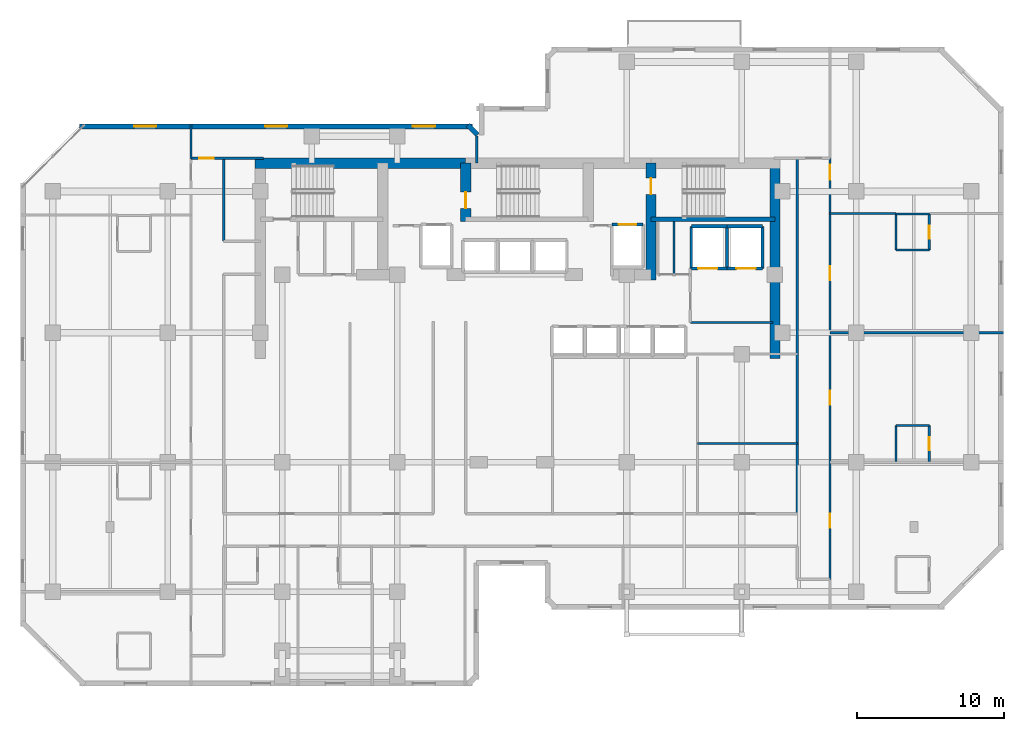
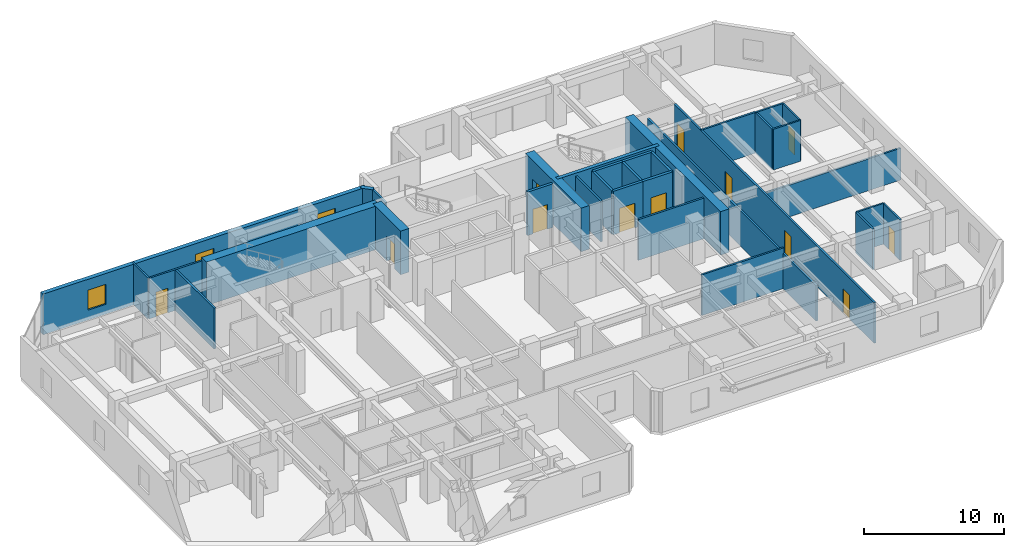
# One storey, part 8 of 10: 33 walls, 12 doors, 3 windows, 15 openings.
"""IFC4 building model written with IfcOpenShell, lengths in metres."""

from ifc_helpers import new_model, si_unit, direction, frame, frame_2d, origin, place, context, subcontext, project, spatial, rectangle, extrude, material, layer, layer_set, type_object, element, fill, save


model = new_model("IFC4")

# Units and contexts
model_context = context("Model", 3, precision=1e-05, world=origin(), true_north=direction((0.0, 1.0)))
body_context = subcontext(model_context, "Body", "Model", "MODEL_VIEW")
ifc_project = project(units=[si_unit("LENGTHUNIT", "METRE"), si_unit("AREAUNIT", "SQUARE_METRE"), si_unit("VOLUMEUNIT", "CUBIC_METRE"), si_unit("PLANEANGLEUNIT", "RADIAN"), si_unit("MASSUNIT", "GRAM", prefix="KILO")], contexts=[model_context])

# Site, building, storey
site_placement = place(None, origin())
site = spatial("IfcSite", under=ifc_project, at=site_placement, CompositionType="ELEMENT")
building_placement = place(site_placement, origin())
building = spatial("IfcBuilding", under=site, at=building_placement, Name="Kestravale Grand Hotel", CompositionType="ELEMENT")
storey_placement = place(building_placement, frame((0.0, 0.0, 153.60009765625)))
storey = spatial("IfcBuildingStorey", under=building, at=storey_placement, Name="L38", CompositionType="ELEMENT", Elevation=153.60009765625)

# Walls
ifc_material_1 = material(Name="Concrete f'c 60 MPa", Category="concrete")
ifc_layer_1 = layer(ifc_material_1, 0.699951171875)
ifc_layer_set_1 = layer_set([ifc_layer_1], Name="EW-CORE-700")
wall_type_1 = type_object("IfcWallType", Name="EW-CORE-700", PredefinedType="SHEAR", material=ifc_layer_set_1)
wall_1_placement = place(storey_placement, frame((21.550048828125, 40.320068359375, 0.0), z_axis=(0.0, 0.0, 1.0), x_axis=(1.0, 0.0, 0.0)))
element("IfcWall", 1, at=wall_1_placement, inside=storey, type_object=wall_type_1, Name="L38 core shear wall N1", PredefinedType="SHEAR", context=body_context, shape_type="SweptSolid", body=[
    extrude(rectangle(XDim=14.300048828125, YDim=0.699951171875, at=frame_2d((7.14990234375, 0.0))), origin(), (0.0, 0.0, 1.0), 3.7998046875),
])
wall_2_placement = place(storey_placement, frame((56.8701171875, 27.050048828125, 0.0), z_axis=(0.0, 0.0, 1.0), x_axis=(0.0, 1.0, 0.0)))
element("IfcWall", 2, at=wall_2_placement, inside=storey, type_object=wall_type_1, Name="L38 core shear wall E1", PredefinedType="SHEAR", context=body_context, shape_type="SweptSolid", body=[
    extrude(rectangle(XDim=13.619873046875, YDim=0.699951171875, at=frame_2d((6.81005859375, 0.0))), origin(), (0.0, 0.0, 1.0), 3.7998046875),
])

# Wall, opening, door
wall_3_placement = place(storey_placement, frame((35.85009765625, 36.3701171875, 0.0), z_axis=(0.0, 0.0, 1.0), x_axis=(0.0, 1.0, 0.0)))
wall_3 = element("IfcWall", 3, at=wall_3_placement, inside=storey, type_object=wall_type_1, Name="L38 core shear wall X2", PredefinedType="SHEAR", context=body_context, shape_type="SweptSolid", body=[
    extrude(rectangle(XDim=3.949951171875, YDim=0.699951171875, at=frame_2d((1.97509765625, 0.0))), origin(), (0.0, 0.0, 1.0), 3.7998046875),
])
opening_1_placement = place(wall_3_placement, frame((0.8798828125, 0.0, 0.0)))
opening_1 = element("IfcOpeningElement", 4, at=opening_1_placement, cuts=wall_3, Name="Opening D-ST-1100", PredefinedType="OPENING", context=body_context, shape_type="SweptSolid", body=[
    extrude(rectangle(XDim=1.10009765625, YDim=2.14990234375, at=frame_2d((0.550048828125, 1.074951171875))), frame((0.0, 0.35986328125, 0.0), z_axis=(0.0, -1.0, 0.0), x_axis=(1.0, 0.0, 0.0)), (0.0, 0.0, 1.0), 0.719970703125),
])
ifc_material_2 = material(Name="Galvanised 90-minute fire-rated steel stair door", Category="steel")
door_type_1 = type_object("IfcDoorType", Name="D-ST-1100", OperationType="NOTDEFINED", PredefinedType="DOOR", material=ifc_material_2)
door_1_placement = place(opening_1_placement, origin())
door_1 = element("IfcDoor", 5, at=door_1_placement, inside=storey, type_object=door_type_1, Name="L38 Stair ST-2 FSAE fire door", OperationType="SINGLE_SWING_RIGHT", OverallHeight=2.14990234375, OverallWidth=1.10009765625, PredefinedType="DOOR", context=body_context, shape_type="SweptSolid", body=[
    extrude(rectangle(XDim=1.10009765625, YDim=2.14990234375, at=frame_2d((0.550048828125, 1.074951171875))), frame((0.0, 0.02490234375, 0.0), z_axis=(0.0, -1.0, 0.0), x_axis=(1.0, 0.0, 0.0)), (0.0, 0.0, 1.0), 0.050048828125),
])
fill(opening_1, door_1)

wall_4_placement = place(storey_placement, frame((48.449951171875, 32.39990234375, 0.0), z_axis=(0.0, 0.0, 1.0), x_axis=(0.0, 1.0, 0.0)))
wall_4 = element("IfcWall", 6, at=wall_4_placement, inside=storey, type_object=wall_type_1, Name="L38 core shear wall X4", PredefinedType="SHEAR", context=body_context, shape_type="SweptSolid", body=[
    extrude(rectangle(XDim=7.920166015625, YDim=0.699951171875, at=frame_2d((3.9599609375, 0.0))), origin(), (0.0, 0.0, 1.0), 3.7998046875),
])
opening_2_placement = place(wall_4_placement, frame((5.800048828125, 0.0, 0.0)))
opening_2 = element("IfcOpeningElement", 7, at=opening_2_placement, cuts=wall_4, Name="Opening D-ST-1100", PredefinedType="OPENING", context=body_context, shape_type="SweptSolid", body=[
    extrude(rectangle(XDim=1.10009765625, YDim=2.14990234375, at=frame_2d((0.550048828125, 1.074951171875))), frame((0.0, 0.35986328125, 0.0), z_axis=(0.0, -1.0, 0.0), x_axis=(1.0, 0.0, 0.0)), (0.0, 0.0, 1.0), 0.719970703125),
])
door_2_placement = place(opening_2_placement, origin())
door_2 = element("IfcDoor", 8, at=door_2_placement, inside=storey, type_object=door_type_1, Name="L38 Stair ST-3 FSAE fire door", OperationType="SINGLE_SWING_RIGHT", OverallHeight=2.14990234375, OverallWidth=1.10009765625, PredefinedType="DOOR", context=body_context, shape_type="SweptSolid", body=[
    extrude(rectangle(XDim=1.10009765625, YDim=2.14990234375, at=frame_2d((0.550048828125, 1.074951171875))), frame((0.0, 0.02490234375, 0.0), z_axis=(0.0, -1.0, 0.0), x_axis=(1.0, 0.0, 0.0)), (0.0, 0.0, 1.0), 0.050048828125),
])
fill(opening_2, door_2)

# Wall
ifc_material_3 = material(Name="Precast concrete f'c 45 MPa", Category="concrete")
ifc_layer_2 = layer(ifc_material_3, 0.340087890625)
ifc_layer_set_2 = layer_set([ifc_layer_2], Name="EW-PREC-340")
wall_type_2 = type_object("IfcWallType", Name="EW-PREC-340", PredefinedType="SOLIDWALL", material=ifc_layer_set_2)
wall_5_placement = place(storey_placement, frame((36.658203125, 42.25146484375, 0.0), z_axis=(0.0, 0.0, 1.0), x_axis=(-0.707106781187, 0.707106781187, 0.0)))
element("IfcWall", 9, at=wall_5_placement, inside=storey, type_object=wall_type_2, Name="L38 fluted precast facade wall 16", PredefinedType="SOLIDWALL", context=body_context, shape_type="SweptSolid", body=[
    extrude(rectangle(XDim=0.9287109375, YDim=0.340087890625, at=frame_2d((0.46435546875, 0.0))), origin(), (0.0, 0.0, 1.0), 3.5498046875),
])

# Wall, openings, windows
wall_6_placement = place(storey_placement, frame((36.320068359375, 42.830078125, 0.0), z_axis=(0.0, 0.0, 1.0), x_axis=(-1.0, 0.0, 0.0)))
wall_6 = element("IfcWall", 10, at=wall_6_placement, inside=storey, type_object=wall_type_2, Name="L38 fluted precast facade wall 17", PredefinedType="SOLIDWALL", context=body_context, shape_type="SweptSolid", body=[
    extrude(rectangle(XDim=26.690185546875, YDim=0.340087890625, at=frame_2d((13.34521484375, 0.0))), origin(), (0.0, 0.0, 1.0), 3.5498046875),
])
opening_3_placement = place(wall_6_placement, frame((2.54833984375, 0.0, 0.85009765625)))
opening_3 = element("IfcOpeningElement", 11, at=opening_3_placement, cuts=wall_6, Name="Opening W-GUEST-1500", PredefinedType="OPENING", context=body_context, shape_type="SweptSolid", body=[
    extrude(rectangle(XDim=1.5, YDim=1.75, at=frame_2d((0.75, 0.875))), frame((0.0, 0.179931640625, 0.0), z_axis=(0.0, -1.0, 0.0), x_axis=(1.0, 0.0, 0.0)), (0.0, 0.0, 1.0), 0.360107421875),
])
opening_4_placement = place(wall_6_placement, frame((12.594970703125, 0.0, 0.85009765625)))
opening_4 = element("IfcOpeningElement", 12, at=opening_4_placement, cuts=wall_6, Name="Opening W-GUEST-1500", PredefinedType="OPENING", context=body_context, shape_type="SweptSolid", body=[
    extrude(rectangle(XDim=1.5, YDim=1.75, at=frame_2d((0.75, 0.875))), frame((0.0, 0.179931640625, 0.0), z_axis=(0.0, -1.0, 0.0), x_axis=(1.0, 0.0, 0.0)), (0.0, 0.0, 1.0), 0.360107421875),
])
opening_5_placement = place(wall_6_placement, frame((21.49169921875, 0.0, 0.85009765625)))
opening_5 = element("IfcOpeningElement", 13, at=opening_5_placement, cuts=wall_6, Name="Opening W-GUEST-1500", PredefinedType="OPENING", context=body_context, shape_type="SweptSolid", body=[
    extrude(rectangle(XDim=1.5, YDim=1.75, at=frame_2d((0.75, 0.875))), frame((0.0, 0.179931640625, 0.0), z_axis=(0.0, -1.0, 0.0), x_axis=(1.0, 0.0, 0.0)), (0.0, 0.0, 1.0), 0.360107421875),
])
ifc_material_4 = material(Name="Insulated low-E double glazing in aluminium frame", Category="aluminium")
window_type = type_object("IfcWindowType", Name="W-GUEST-1500", PartitioningType="SINGLE_PANEL", PredefinedType="WINDOW", material=ifc_material_4)
window_1_placement = place(opening_3_placement, origin())
window_1 = element("IfcWindow", 14, at=window_1_placement, inside=storey, type_object=window_type, Name="L38 exterior window 17.1", OverallHeight=1.75, OverallWidth=1.5, PartitioningType="SINGLE_PANEL", PredefinedType="WINDOW", context=body_context, shape_type="SweptSolid", body=[
    extrude(rectangle(XDim=1.5, YDim=1.75, at=frame_2d((0.75, 0.875))), frame((0.0, 0.030029296875, 0.0), z_axis=(0.0, -1.0, 0.0), x_axis=(1.0, 0.0, 0.0)), (0.0, 0.0, 1.0), 0.06005859375),
])
fill(opening_3, window_1)
window_2_placement = place(opening_4_placement, origin())
window_2 = element("IfcWindow", 15, at=window_2_placement, inside=storey, type_object=window_type, Name="L38 exterior window 17.2", OverallHeight=1.75, OverallWidth=1.5, PartitioningType="SINGLE_PANEL", PredefinedType="WINDOW", context=body_context, shape_type="SweptSolid", body=[
    extrude(rectangle(XDim=1.5, YDim=1.75, at=frame_2d((0.75, 0.875))), frame((0.0, 0.030029296875, 0.0), z_axis=(0.0, -1.0, 0.0), x_axis=(1.0, 0.0, 0.0)), (0.0, 0.0, 1.0), 0.06005859375),
])
fill(opening_4, window_2)
window_3_placement = place(opening_5_placement, origin())
window_3 = element("IfcWindow", 16, at=window_3_placement, inside=storey, type_object=window_type, Name="L38 exterior window 17.3", OverallHeight=1.75, OverallWidth=1.5, PartitioningType="SINGLE_PANEL", PredefinedType="WINDOW", context=body_context, shape_type="SweptSolid", body=[
    extrude(rectangle(XDim=1.5, YDim=1.75, at=frame_2d((0.75, 0.875))), frame((0.0, 0.030029296875, 0.0), z_axis=(0.0, -1.0, 0.0), x_axis=(1.0, 0.0, 0.0)), (0.0, 0.0, 1.0), 0.06005859375),
])
fill(opening_5, window_3)

# Walls
ifc_material_5 = material(Name="Concrete f'c 45 MPa", Category="concrete")
ifc_layer_3 = layer(ifc_material_5, 0.300048828125)
ifc_layer_set_3 = layer_set([ifc_layer_3], Name="EW-STAIR-300")
wall_type_3 = type_object("IfcWallType", Name="EW-STAIR-300", PredefinedType="SHEAR", material=ifc_layer_set_3)
wall_7_placement = place(storey_placement, frame((48.449951171875, 36.52001953125, 0.0), z_axis=(0.0, 0.0, 1.0), x_axis=(1.0, 0.0, 0.0)))
element("IfcWall", 17, at=wall_7_placement, inside=storey, type_object=wall_type_3, Name="L38 stair enclosure shear wall SST3", PredefinedType="SHEAR", context=body_context, shape_type="SweptSolid", body=[
    extrude(rectangle(XDim=8.420166015625, YDim=0.300048828125, at=frame_2d((4.2099609375, 0.0))), origin(), (0.0, 0.0, 1.0), 3.7998046875),
])
ifc_material_6 = material(Name="Acoustic fire-rated gypsum board partition", Category="other")
ifc_layer_4 = layer(ifc_material_6, 0.159912109375)
ifc_layer_set_4 = layer_set([ifc_layer_4], Name="IW-CORR-160")
wall_type_4 = type_object("IfcWallType", Name="IW-CORR-160", PredefinedType="PARTITIONING", material=ifc_layer_set_4)
for number, where, z_axis, x_axis, name in (
    (18, (51.1201171875, 29.5, 0.0), (0.0, 0.0, 1.0), (1.0, 0.0, 0.0), "L38 service lift lobby wall"),
    (19, (19.409912109375, 35.02001953125, 0.0), (0.0, 0.0, 1.0), (0.0, 1.0, 0.0), "W-L38-SW-EN"),
):
    element("IfcWall", number, at=place(storey_placement, frame(where, z_axis=z_axis, x_axis=x_axis)), inside=storey, type_object=wall_type_4, Name=name, PredefinedType="PARTITIONING", context=body_context, shape_type="SweptSolid", body=[
        extrude(rectangle(XDim=5.6298828125, YDim=0.159912109375, at=frame_2d((2.81494140625, 0.0))), origin(), (0.0, 0.0, 1.0), 3.5498046875),
    ])

# Wall, openings, doors
wall_8_placement = place(storey_placement, frame((60.610107421875, 12.050048828125, 0.0), z_axis=(0.0, 0.0, 1.0), x_axis=(0.0, 1.0, 0.0)))
wall_8 = element("IfcWall", 20, at=wall_8_placement, inside=storey, type_object=wall_type_4, Name="W-L38-SE-E", PredefinedType="PARTITIONING", context=body_context, shape_type="SweptSolid", body=[
    extrude(rectangle(XDim=28.599853515625, YDim=0.159912109375, at=frame_2d((14.2998046875, 0.0))), origin(), (0.0, 0.0, 1.0), 3.5498046875),
])
opening_6_placement = place(wall_8_placement, frame((3.5, 0.0, 0.0)))
opening_6 = element("IfcOpeningElement", 21, at=opening_6_placement, cuts=wall_8, Name="Opening D-GUEST-950", PredefinedType="OPENING", context=body_context, shape_type="SweptSolid", body=[
    extrude(rectangle(XDim=0.949951171875, YDim=2.10009765625, at=frame_2d((0.47509765625, 1.050048828125))), frame((0.0, 0.08984375, 0.0), z_axis=(0.0, -1.0, 0.0), x_axis=(1.0, 0.0, 0.0)), (0.0, 0.0, 1.0), 0.179931640625),
])
opening_7_placement = place(wall_8_placement, frame((11.875, 0.0, 0.0)))
opening_7 = element("IfcOpeningElement", 22, at=opening_7_placement, cuts=wall_8, Name="Opening D-GUEST-950", PredefinedType="OPENING", context=body_context, shape_type="SweptSolid", body=[
    extrude(rectangle(XDim=0.949951171875, YDim=2.10009765625, at=frame_2d((0.47509765625, 1.050048828125))), frame((0.0, 0.08984375, 0.0), z_axis=(0.0, -1.0, 0.0), x_axis=(1.0, 0.0, 0.0)), (0.0, 0.0, 1.0), 0.179931640625),
])
opening_8_placement = place(wall_8_placement, frame((20.324951171875, 0.0, 0.0)))
opening_8 = element("IfcOpeningElement", 23, at=opening_8_placement, cuts=wall_8, Name="Opening D-GUEST-950", PredefinedType="OPENING", context=body_context, shape_type="SweptSolid", body=[
    extrude(rectangle(XDim=0.949951171875, YDim=2.10009765625, at=frame_2d((0.47509765625, 1.050048828125))), frame((0.0, 0.08984375, 0.0), z_axis=(0.0, -1.0, 0.0), x_axis=(1.0, 0.0, 0.0)), (0.0, 0.0, 1.0), 0.179931640625),
])
opening_9_placement = place(wall_8_placement, frame((27.159912109375, 0.0, 0.0)))
opening_9 = element("IfcOpeningElement", 24, at=opening_9_placement, cuts=wall_8, Name="Opening D-GUEST-1000", PredefinedType="OPENING", context=body_context, shape_type="SweptSolid", body=[
    extrude(rectangle(XDim=1.0, YDim=2.14990234375, at=frame_2d((0.5, 1.074951171875))), frame((0.0, 0.08984375, 0.0), z_axis=(0.0, -1.0, 0.0), x_axis=(1.0, 0.0, 0.0)), (0.0, 0.0, 1.0), 0.179931640625),
])
ifc_material_7 = material(Name="Accessible walnut veneer hotel entrance fire door", Category="wood")
door_type_2 = type_object("IfcDoorType", Name="D-GUEST-1000", OperationType="NOTDEFINED", PredefinedType="DOOR", material=ifc_material_7)
door_3_placement = place(opening_9_placement, origin())
door_3 = element("IfcDoor", 25, at=door_3_placement, inside=storey, type_object=door_type_2, Name="D-L38-AMEW", OperationType="SINGLE_SWING_RIGHT", OverallHeight=2.14990234375, OverallWidth=1.0, PredefinedType="DOOR", context=body_context, shape_type="SweptSolid", body=[
    extrude(rectangle(XDim=1.0, YDim=2.14990234375, at=frame_2d((0.5, 1.074951171875))), frame((0.0, 0.02490234375, 0.0), z_axis=(0.0, -1.0, 0.0), x_axis=(1.0, 0.0, 0.0)), (0.0, 0.0, 1.0), 0.050048828125),
])
fill(opening_9, door_3)
ifc_material_8 = material(Name="Walnut veneer hotel guestroom entrance fire door", Category="wood")
door_type_3 = type_object("IfcDoorType", Name="D-GUEST-950", OperationType="NOTDEFINED", PredefinedType="DOOR", material=ifc_material_8)
door_4_placement = place(opening_6_placement, origin())
door_4 = element("IfcDoor", 26, at=door_4_placement, inside=storey, type_object=door_type_3, Name="D-L38-U06-ENT", OperationType="SINGLE_SWING_LEFT", OverallHeight=2.10009765625, OverallWidth=0.949951171875, PredefinedType="DOOR", context=body_context, shape_type="SweptSolid", body=[
    extrude(rectangle(XDim=0.949951171875, YDim=2.10009765625, at=frame_2d((0.47509765625, 1.050048828125))), frame((0.0, 0.02490234375, 0.0), z_axis=(0.0, -1.0, 0.0), x_axis=(1.0, 0.0, 0.0)), (0.0, 0.0, 1.0), 0.050048828125),
])
fill(opening_6, door_4)
door_5_placement = place(opening_7_placement, origin())
door_5 = element("IfcDoor", 27, at=door_5_placement, inside=storey, type_object=door_type_3, Name="D-L38-U07-ENT", OperationType="SINGLE_SWING_LEFT", OverallHeight=2.10009765625, OverallWidth=0.949951171875, PredefinedType="DOOR", context=body_context, shape_type="SweptSolid", body=[
    extrude(rectangle(XDim=0.949951171875, YDim=2.10009765625, at=frame_2d((0.47509765625, 1.050048828125))), frame((0.0, 0.02490234375, 0.0), z_axis=(0.0, -1.0, 0.0), x_axis=(1.0, 0.0, 0.0)), (0.0, 0.0, 1.0), 0.050048828125),
])
fill(opening_7, door_5)
door_6_placement = place(opening_8_placement, origin())
door_6 = element("IfcDoor", 28, at=door_6_placement, inside=storey, type_object=door_type_3, Name="D-L38-U08-ENT", OperationType="SINGLE_SWING_LEFT", OverallHeight=2.10009765625, OverallWidth=0.949951171875, PredefinedType="DOOR", context=body_context, shape_type="SweptSolid", body=[
    extrude(rectangle(XDim=0.949951171875, YDim=2.10009765625, at=frame_2d((0.47509765625, 1.050048828125))), frame((0.0, 0.02490234375, 0.0), z_axis=(0.0, -1.0, 0.0), x_axis=(1.0, 0.0, 0.0)), (0.0, 0.0, 1.0), 0.050048828125),
])
fill(opening_8, door_6)

# Walls
wall_9_placement = place(storey_placement, frame((58.389892578125, 16.510009765625, 0.0), z_axis=(0.0, 0.0, 1.0), x_axis=(0.0, 1.0, 0.0)))
element("IfcWall", 29, at=wall_9_placement, inside=storey, type_object=wall_type_4, Name="W-L38-SE-WU", PredefinedType="PARTITIONING", context=body_context, shape_type="SweptSolid", body=[
    extrude(rectangle(XDim=24.139892578125, YDim=0.159912109375, at=frame_2d((12.06982421875, 0.0))), origin(), (0.0, 0.0, 1.0), 3.093017578125),
])
ifc_material_9 = material(Name="Moisture-resistant tile-backer plumbing chase wall", Category="other")
ifc_layer_5 = layer(ifc_material_9, 0.139892578125)
ifc_layer_set_5 = layer_set([ifc_layer_5], Name="IW-PLB-140")
wall_type_5 = type_object("IfcWallType", Name="IW-PLB-140", PredefinedType="PLUMBINGWALL", material=ifc_layer_set_5)
wall_10_placement = place(storey_placement, frame((65.10009765625, 20.0400390625, 0.0), z_axis=(0.0, 0.0, 1.0), x_axis=(0.0, 1.0, 0.0)))
element("IfcWall", 30, at=wall_10_placement, inside=storey, type_object=wall_type_5, Name="W-L38-U07-BW", PredefinedType="PLUMBINGWALL", context=body_context, shape_type="SweptSolid", body=[
    extrude(rectangle(XDim=2.449951171875, YDim=0.139892578125, at=frame_2d((1.22509765625, 0.0))), origin(), (0.0, 0.0, 1.0), 3.5498046875),
])

# Wall, opening, door
wall_11_placement = place(storey_placement, frame((67.35009765625, 20.0400390625, 0.0), z_axis=(0.0, 0.0, 1.0), x_axis=(0.0, 1.0, 0.0)))
wall_11 = element("IfcWall", 31, at=wall_11_placement, inside=storey, type_object=wall_type_5, Name="W-L38-U07-BE", PredefinedType="PLUMBINGWALL", context=body_context, shape_type="SweptSolid", body=[
    extrude(rectangle(XDim=2.449951171875, YDim=0.139892578125, at=frame_2d((1.22509765625, 0.0))), origin(), (0.0, 0.0, 1.0), 3.5498046875),
])
opening_10_placement = place(wall_11_placement, frame((0.784912109375, 0.0, 0.0)))
opening_10 = element("IfcOpeningElement", 32, at=opening_10_placement, cuts=wall_11, Name="Opening D-BATH-880", PredefinedType="OPENING", context=body_context, shape_type="SweptSolid", body=[
    extrude(rectangle(XDim=0.8798828125, YDim=2.050048828125, at=frame_2d((0.43994140625, 1.02490234375))), frame((0.0, 0.079833984375, 0.0), z_axis=(0.0, -1.0, 0.0), x_axis=(1.0, 0.0, 0.0)), (0.0, 0.0, 1.0), 0.159912109375),
])
ifc_material_10 = material(Name="Moisture-sealed walnut en-suite bathroom door", Category="wood")
door_type_4 = type_object("IfcDoorType", Name="D-BATH-880", OperationType="NOTDEFINED", PredefinedType="DOOR", material=ifc_material_10)
door_7_placement = place(opening_10_placement, origin())
door_7 = element("IfcDoor", 33, at=door_7_placement, inside=storey, type_object=door_type_4, Name="D-L38-U07-BATH", OperationType="SINGLE_SWING_RIGHT", OverallHeight=2.050048828125, OverallWidth=0.8798828125, PredefinedType="DOOR", context=body_context, shape_type="SweptSolid", body=[
    extrude(rectangle(XDim=0.8798828125, YDim=2.050048828125, at=frame_2d((0.43994140625, 1.02490234375))), frame((0.0, 0.02490234375, 0.0), z_axis=(0.0, -1.0, 0.0), x_axis=(1.0, 0.0, 0.0)), (0.0, 0.0, 1.0), 0.050048828125),
])
fill(opening_10, door_7)

# Walls
wall_12_placement = place(storey_placement, frame((65.10009765625, 22.489990234375, 0.0), z_axis=(0.0, 0.0, 1.0), x_axis=(1.0, 0.0, 0.0)))
element("IfcWall", 34, at=wall_12_placement, inside=storey, type_object=wall_type_5, Name="W-L38-U07-BN", PredefinedType="PLUMBINGWALL", context=body_context, shape_type="SweptSolid", body=[
    extrude(rectangle(XDim=2.25, YDim=0.139892578125, at=frame_2d((1.125, 0.0))), origin(), (0.0, 0.0, 1.0), 3.5498046875),
])
wall_13_placement = place(storey_placement, frame((65.10009765625, 34.409912109375, 0.0), z_axis=(0.0, 0.0, 1.0), x_axis=(0.0, 1.0, 0.0)))
element("IfcWall", 35, at=wall_13_placement, inside=storey, type_object=wall_type_5, Name="W-L38-U08-BW", PredefinedType="PLUMBINGWALL", context=body_context, shape_type="SweptSolid", body=[
    extrude(rectangle(XDim=2.4501953125, YDim=0.139892578125, at=frame_2d((1.22509765625, 0.0))), origin(), (0.0, 0.0, 1.0), 3.5498046875),
])

# Wall, opening, door
wall_14_placement = place(storey_placement, frame((67.35009765625, 34.409912109375, 0.0), z_axis=(0.0, 0.0, 1.0), x_axis=(0.0, 1.0, 0.0)))
wall_14 = element("IfcWall", 36, at=wall_14_placement, inside=storey, type_object=wall_type_5, Name="W-L38-U08-BE", PredefinedType="PLUMBINGWALL", context=body_context, shape_type="SweptSolid", body=[
    extrude(rectangle(XDim=2.4501953125, YDim=0.139892578125, at=frame_2d((1.22509765625, 0.0))), origin(), (0.0, 0.0, 1.0), 3.5498046875),
])
opening_11_placement = place(wall_14_placement, frame((0.784912109375, 0.0, 0.0)))
opening_11 = element("IfcOpeningElement", 37, at=opening_11_placement, cuts=wall_14, Name="Opening D-BATH-880", PredefinedType="OPENING", context=body_context, shape_type="SweptSolid", body=[
    extrude(rectangle(XDim=0.8798828125, YDim=2.050048828125, at=frame_2d((0.43994140625, 1.02490234375))), frame((0.0, 0.079833984375, 0.0), z_axis=(0.0, -1.0, 0.0), x_axis=(1.0, 0.0, 0.0)), (0.0, 0.0, 1.0), 0.159912109375),
])
door_8_placement = place(opening_11_placement, origin())
door_8 = element("IfcDoor", 38, at=door_8_placement, inside=storey, type_object=door_type_4, Name="D-L38-U08-BATH", OperationType="SINGLE_SWING_RIGHT", OverallHeight=2.050048828125, OverallWidth=0.8798828125, PredefinedType="DOOR", context=body_context, shape_type="SweptSolid", body=[
    extrude(rectangle(XDim=0.8798828125, YDim=2.050048828125, at=frame_2d((0.43994140625, 1.02490234375))), frame((0.0, 0.02490234375, 0.0), z_axis=(0.0, -1.0, 0.0), x_axis=(1.0, 0.0, 0.0)), (0.0, 0.0, 1.0), 0.050048828125),
])
fill(opening_11, door_8)

# Walls
for number, where, z_axis, x_axis, name in (
    (39, (65.10009765625, 34.409912109375, 0.0), (0.0, 0.0, 1.0), (1.0, 0.0, 0.0), "W-L38-U08-BS"),
    (40, (65.10009765625, 36.860107421875, 0.0), (0.0, 0.0, 1.0), (1.0, 0.0, 0.0), "W-L38-U08-BN"),
):
    element("IfcWall", number, at=place(storey_placement, frame(where, z_axis=z_axis, x_axis=x_axis)), inside=storey, type_object=wall_type_5, Name=name, PredefinedType="PLUMBINGWALL", context=body_context, shape_type="SweptSolid", body=[
        extrude(rectangle(XDim=2.25, YDim=0.139892578125, at=frame_2d((1.125, 0.0))), origin(), (0.0, 0.0, 1.0), 3.5498046875),
    ])
ifc_material_11 = material(Name="Concrete f'c 45 MPa", Category="concrete")
ifc_layer_6 = layer(ifc_material_11, 0.199951171875)
ifc_layer_set_6 = layer_set([ifc_layer_6], Name="IW-SHAFT-200")
wall_type_6 = type_object("IfcWallType", Name="IW-SHAFT-200", PredefinedType="SHEAR", material=ifc_layer_set_6)
for number, where, z_axis, x_axis, name in (
    (41, (51.179931640625, 33.169921875, 0.0), (0.0, 0.0, 1.0), (0.0, 1.0, 0.0), "L38 SL-1 west shaft wall"),
    (42, (53.60009765625, 33.169921875, 0.0), (0.0, 0.0, 1.0), (0.0, 1.0, 0.0), "L38 SL-2 west shaft wall"),
    (43, (56.02001953125, 33.169921875, 0.0), (0.0, 0.0, 1.0), (0.0, 1.0, 0.0), "L38 SL-2 east shaft wall"),
):
    element("IfcWall", number, at=place(storey_placement, frame(where, z_axis=z_axis, x_axis=x_axis)), inside=storey, type_object=wall_type_6, Name=name, PredefinedType="SHEAR", context=body_context, shape_type="SweptSolid", body=[
        extrude(rectangle(XDim=2.860107421875, YDim=0.199951171875, at=frame_2d((1.43017578125, 0.0))), origin(), (0.0, 0.0, 1.0), 3.7998046875),
    ])
ifc_material_12 = material(Name="Concrete f'c 45 MPa", Category="concrete")
ifc_layer_7 = layer(ifc_material_12, 0.219970703125)
ifc_layer_set_7 = layer_set([ifc_layer_7], Name="IW-SHAFT-220")
wall_type_7 = type_object("IfcWallType", Name="IW-SHAFT-220", PredefinedType="SHEAR", material=ifc_layer_set_7)
wall_15_placement = place(storey_placement, frame((51.179931640625, 36.030029296875, 0.0), z_axis=(0.0, 0.0, 1.0), x_axis=(1.0, 0.0, 0.0)))
element("IfcWall", 44, at=wall_15_placement, inside=storey, type_object=wall_type_7, Name="L38 SL-1 north shaft wall", PredefinedType="SHEAR", context=body_context, shape_type="SweptSolid", body=[
    extrude(rectangle(XDim=2.420166015625, YDim=0.219970703125, at=frame_2d((1.2099609375, 0.0))), origin(), (0.0, 0.0, 1.0), 3.7998046875),
])

# Wall, opening, door
wall_16_placement = place(storey_placement, frame((51.179931640625, 33.169921875, 0.0), z_axis=(0.0, 0.0, 1.0), x_axis=(1.0, 0.0, 0.0)))
wall_16 = element("IfcWall", 45, at=wall_16_placement, inside=storey, type_object=wall_type_7, Name="L38 SL-1 south shaft wall", PredefinedType="SHEAR", context=body_context, shape_type="SweptSolid", body=[
    extrude(rectangle(XDim=2.420166015625, YDim=0.219970703125, at=frame_2d((1.2099609375, 0.0))), origin(), (0.0, 0.0, 1.0), 3.7998046875),
])
opening_12_placement = place(wall_16_placement, frame((0.469970703125, 0.0, 0.0)))
opening_12 = element("IfcOpeningElement", 46, at=opening_12_placement, cuts=wall_16, Name="Opening LD-SVC-1300", PredefinedType="OPENING", context=body_context, shape_type="SweptSolid", body=[
    extrude(rectangle(XDim=1.300048828125, YDim=2.14990234375, at=frame_2d((0.64990234375, 1.074951171875))), frame((0.0, 0.119873046875, 0.0), z_axis=(0.0, -1.0, 0.0), x_axis=(1.0, 0.0, 0.0)), (0.0, 0.0, 1.0), 0.239990234375),
])
ifc_material_13 = material(Name="Heavy-duty service sliding elevator landing door", Category="steel")
door_type_5 = type_object("IfcDoorType", Name="LD-SVC-1300", OperationType="NOTDEFINED", PredefinedType="DOOR", material=ifc_material_13)
door_9_placement = place(opening_12_placement, origin())
door_9 = element("IfcDoor", 47, at=door_9_placement, inside=storey, type_object=door_type_5, Name="L38 SL-1 elevator landing sliding door", OperationType="DOUBLE_DOOR_SLIDING", OverallHeight=2.14990234375, OverallWidth=1.300048828125, PredefinedType="DOOR", context=body_context, shape_type="SweptSolid", body=[
    extrude(rectangle(XDim=1.300048828125, YDim=2.14990234375, at=frame_2d((0.64990234375, 1.074951171875))), frame((0.0, 0.02490234375, 0.0), z_axis=(0.0, -1.0, 0.0), x_axis=(1.0, 0.0, 0.0)), (0.0, 0.0, 1.0), 0.050048828125),
])
fill(opening_12, door_9)

# Wall
wall_17_placement = place(storey_placement, frame((53.60009765625, 36.030029296875, 0.0), z_axis=(0.0, 0.0, 1.0), x_axis=(1.0, 0.0, 0.0)))
element("IfcWall", 48, at=wall_17_placement, inside=storey, type_object=wall_type_7, Name="L38 SL-2 north shaft wall", PredefinedType="SHEAR", context=body_context, shape_type="SweptSolid", body=[
    extrude(rectangle(XDim=2.419921875, YDim=0.219970703125, at=frame_2d((1.2099609375, 0.0))), origin(), (0.0, 0.0, 1.0), 3.7998046875),
])

# Wall, opening, door
wall_18_placement = place(storey_placement, frame((53.60009765625, 33.169921875, 0.0), z_axis=(0.0, 0.0, 1.0), x_axis=(1.0, 0.0, 0.0)))
wall_18 = element("IfcWall", 49, at=wall_18_placement, inside=storey, type_object=wall_type_7, Name="L38 SL-2 south shaft wall", PredefinedType="SHEAR", context=body_context, shape_type="SweptSolid", body=[
    extrude(rectangle(XDim=2.419921875, YDim=0.219970703125, at=frame_2d((1.2099609375, 0.0))), origin(), (0.0, 0.0, 1.0), 3.7998046875),
])
opening_13_placement = place(wall_18_placement, frame((0.64990234375, 0.0, 0.0)))
opening_13 = element("IfcOpeningElement", 50, at=opening_13_placement, cuts=wall_18, Name="Opening LD-SVC-1300", PredefinedType="OPENING", context=body_context, shape_type="SweptSolid", body=[
    extrude(rectangle(XDim=1.300048828125, YDim=2.14990234375, at=frame_2d((0.64990234375, 1.074951171875))), frame((0.0, 0.119873046875, 0.0), z_axis=(0.0, -1.0, 0.0), x_axis=(1.0, 0.0, 0.0)), (0.0, 0.0, 1.0), 0.239990234375),
])
door_10_placement = place(opening_13_placement, origin())
door_10 = element("IfcDoor", 51, at=door_10_placement, inside=storey, type_object=door_type_5, Name="L38 SL-2 elevator landing sliding door", OperationType="DOUBLE_DOOR_SLIDING", OverallHeight=2.14990234375, OverallWidth=1.300048828125, PredefinedType="DOOR", context=body_context, shape_type="SweptSolid", body=[
    extrude(rectangle(XDim=1.300048828125, YDim=2.14990234375, at=frame_2d((0.64990234375, 1.074951171875))), frame((0.0, 0.02490234375, 0.0), z_axis=(0.0, -1.0, 0.0), x_axis=(1.0, 0.0, 0.0)), (0.0, 0.0, 1.0), 0.050048828125),
])
fill(opening_13, door_10)

wall_19_placement = place(storey_placement, frame((45.804931640625, 36.155029296875, 0.0), z_axis=(0.0, 0.0, 1.0), x_axis=(1.0, 0.0, 0.0)))
wall_19 = element("IfcWall", 52, at=wall_19_placement, inside=storey, type_object=wall_type_7, Name="L38 FL-2 north shaft wall", PredefinedType="SHEAR", context=body_context, shape_type="SweptSolid", body=[
    extrude(rectangle(XDim=2.090087890625, YDim=0.219970703125, at=frame_2d((1.044921875, 0.0))), origin(), (0.0, 0.0, 1.0), 3.7998046875),
])
opening_14_placement = place(wall_19_placement, frame((0.445068359375, 0.0, 0.0)))
opening_14 = element("IfcOpeningElement", 53, at=opening_14_placement, cuts=wall_19, Name="Opening LD-FSAE-1200", PredefinedType="OPENING", context=body_context, shape_type="SweptSolid", body=[
    extrude(rectangle(XDim=1.199951171875, YDim=2.14990234375, at=frame_2d((0.60009765625, 1.074951171875))), frame((0.0, 0.119873046875, 0.0), z_axis=(0.0, -1.0, 0.0), x_axis=(1.0, 0.0, 0.0)), (0.0, 0.0, 1.0), 0.239990234375),
])
ifc_material_14 = material(Name="Stainless fire-service sliding elevator landing door", Category="steel")
door_type_6 = type_object("IfcDoorType", Name="LD-FSAE-1200", OperationType="NOTDEFINED", PredefinedType="DOOR", material=ifc_material_14)
door_11_placement = place(opening_14_placement, origin())
door_11 = element("IfcDoor", 54, at=door_11_placement, inside=storey, type_object=door_type_6, Name="L38 FL-2 elevator landing sliding door", OperationType="DOUBLE_DOOR_SLIDING", OverallHeight=2.14990234375, OverallWidth=1.199951171875, PredefinedType="DOOR", context=body_context, shape_type="SweptSolid", body=[
    extrude(rectangle(XDim=1.199951171875, YDim=2.14990234375, at=frame_2d((0.60009765625, 1.074951171875))), frame((0.0, 0.02490234375, 0.0), z_axis=(0.0, -1.0, 0.0), x_axis=(1.0, 0.0, 0.0)), (0.0, 0.0, 1.0), 0.050048828125),
])
fill(opening_14, door_11)

# Wall
ifc_material_15 = material(Name="Double-stud STC 52 acoustic demising partition", Category="other")
ifc_layer_8 = layer(ifc_material_15, 0.14990234375)
ifc_layer_set_8 = layer_set([ifc_layer_8], Name="IW-UNIT-150")
wall_type_8 = type_object("IfcWallType", Name="IW-UNIT-150", PredefinedType="PARTITIONING", material=ifc_layer_set_8)
wall_20_placement = place(storey_placement, frame((50.010009765625, 32.75, 0.0), z_axis=(0.0, 0.0, 1.0), x_axis=(0.0, 1.0, 0.0)))
element("IfcWall", 55, at=wall_20_placement, inside=storey, type_object=wall_type_8, Name="W-L38-CC1-EM", PredefinedType="PARTITIONING", context=body_context, shape_type="SweptSolid", body=[
    extrude(rectangle(XDim=3.6201171875, YDim=0.14990234375, at=frame_2d((1.81005859375, 0.0))), origin(), (0.0, 0.0, 1.0), 3.5498046875),
])

# Wall, opening, door
wall_21_placement = place(storey_placement, frame((17.18994140625, 40.64990234375, 0.0), z_axis=(0.0, 0.0, 1.0), x_axis=(1.0, 0.0, 0.0)))
wall_21 = element("IfcWall", 56, at=wall_21_placement, inside=storey, type_object=wall_type_8, Name="W-L38-SW-N", PredefinedType="PARTITIONING", context=body_context, shape_type="SweptSolid", body=[
    extrude(rectangle(XDim=4.91015625, YDim=0.14990234375, at=frame_2d((2.455078125, 0.0))), origin(), (0.0, 0.0, 1.0), 3.5498046875),
])
opening_15_placement = place(wall_21_placement, frame((0.550048828125, 0.0, 0.0)))
opening_15 = element("IfcOpeningElement", 57, at=opening_15_placement, cuts=wall_21, Name="Opening D-GUEST-1000", PredefinedType="OPENING", context=body_context, shape_type="SweptSolid", body=[
    extrude(rectangle(XDim=1.0, YDim=2.14990234375, at=frame_2d((0.5, 1.074951171875))), frame((0.0, 0.0849609375, 0.0), z_axis=(0.0, -1.0, 0.0), x_axis=(1.0, 0.0, 0.0)), (0.0, 0.0, 1.0), 0.169921875),
])
door_12_placement = place(opening_15_placement, origin())
door_12 = element("IfcDoor", 58, at=door_12_placement, inside=storey, type_object=door_type_2, Name="L38 NW Gallery Door", OperationType="SINGLE_SWING_RIGHT", OverallHeight=2.14990234375, OverallWidth=1.0, PredefinedType="DOOR", context=body_context, shape_type="SweptSolid", body=[
    extrude(rectangle(XDim=1.0, YDim=2.14990234375, at=frame_2d((0.5, 1.074951171875))), frame((0.0, 0.02490234375, 0.0), z_axis=(0.0, -1.0, 0.0), x_axis=(1.0, 0.0, 0.0)), (0.0, 0.0, 1.0), 0.050048828125),
])
fill(opening_15, door_12)

# Walls
wall_22_placement = place(storey_placement, frame((51.60009765625, 21.27001953125, 0.0), z_axis=(0.0, 0.0, 1.0), x_axis=(1.0, 0.0, 0.0)))
element("IfcWall", 59, at=wall_22_placement, inside=storey, type_object=wall_type_8, Name="W-L38-RCLE-H", PredefinedType="PARTITIONING", context=body_context, shape_type="SweptSolid", body=[
    extrude(rectangle(XDim=6.789794921875, YDim=0.14990234375, at=frame_2d((3.39501953125, 0.0))), origin(), (0.0, 0.0, 1.0), 3.5498046875),
])
wall_23_placement = place(storey_placement, frame((17.18994140625, 40.64990234375, 0.0), z_axis=(0.0, 0.0, 1.0), x_axis=(0.0, 1.0, 0.0)))
element("IfcWall", 60, at=wall_23_placement, inside=storey, type_object=wall_type_8, Name="W-L38-NGW-W", PredefinedType="PARTITIONING", context=body_context, shape_type="SweptSolid", body=[
    extrude(rectangle(XDim=2.330078125, YDim=0.14990234375, at=frame_2d((1.1650390625, 0.0))), origin(), (0.0, 0.0, 1.0), 3.5498046875),
])
wall_24_placement = place(storey_placement, frame((36.60009765625, 40.320068359375, 0.0), z_axis=(0.0, 0.0, 1.0), x_axis=(0.0, 1.0, 0.0)))
element("IfcWall", 61, at=wall_24_placement, inside=storey, type_object=wall_type_8, Name="W-L38-NGM", PredefinedType="PARTITIONING", context=body_context, shape_type="SweptSolid", body=[
    extrude(rectangle(XDim=1.844970703125, YDim=0.14990234375, at=frame_2d((0.92236328125, 0.0))), origin(), (0.0, 0.0, 1.0), 3.5498046875),
])
wall_25_placement = place(storey_placement, frame((60.610107421875, 28.800048828125, 0.0), z_axis=(0.0, 0.0, 1.0), x_axis=(1.0, 0.0, 0.0)))
element("IfcWall", 62, at=wall_25_placement, inside=storey, type_object=wall_type_8, Name="W-L38-EW-2", PredefinedType="PARTITIONING", context=body_context, shape_type="SweptSolid", body=[
    extrude(rectangle(XDim=11.769775390625, YDim=0.14990234375, at=frame_2d((5.884765625, 0.0))), origin(), (0.0, 0.0, 1.0), 2.77783203125),
])
wall_26_placement = place(storey_placement, frame((60.610107421875, 36.89990234375, 0.0), z_axis=(0.0, 0.0, 1.0), x_axis=(1.0, 0.0, 0.0)))
element("IfcWall", 63, at=wall_26_placement, inside=storey, type_object=wall_type_8, Name="W-L38-EW-3", PredefinedType="PARTITIONING", context=body_context, shape_type="SweptSolid", body=[
    extrude(rectangle(XDim=4.489990234375, YDim=0.14990234375, at=frame_2d((2.2451171875, 0.0))), origin(), (0.0, 0.0, 1.0), 3.5498046875),
])

save(model, "model.ifc")
